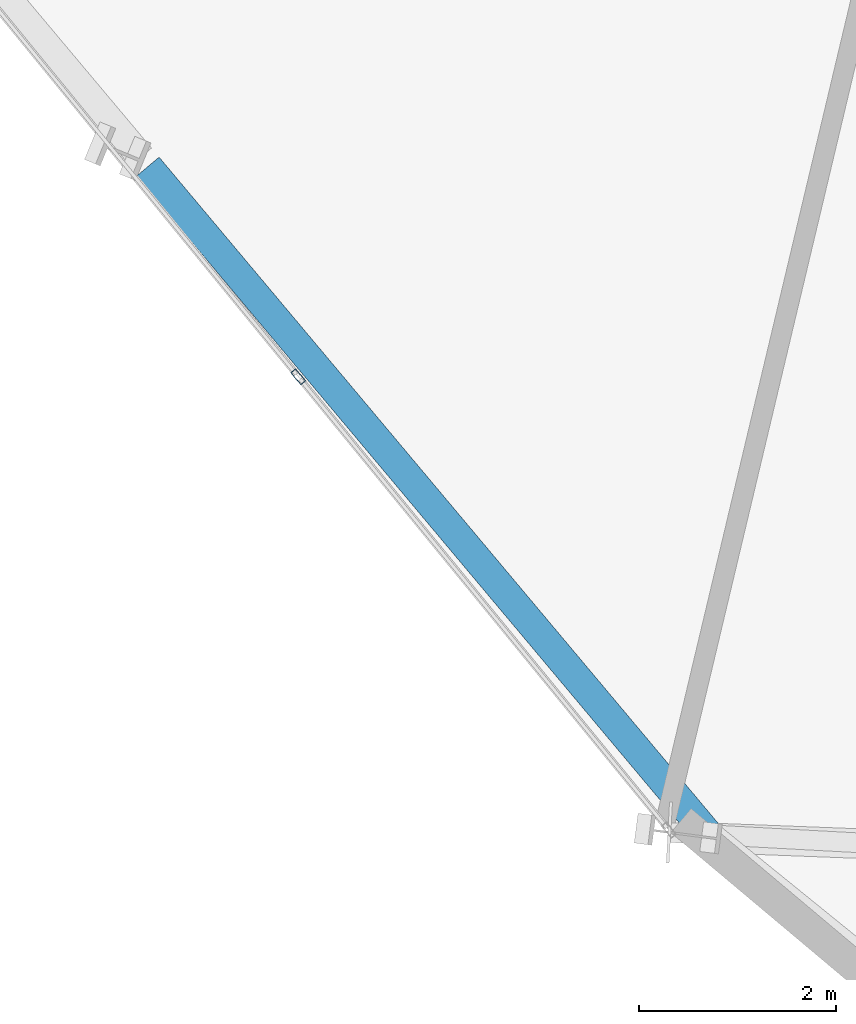
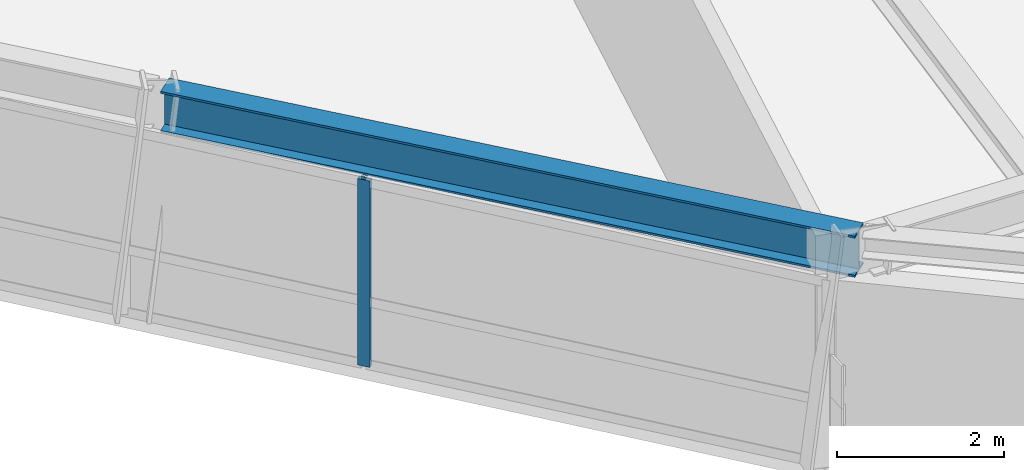
# One storey, part 2 of 15: 1 beam, 1 member, 1 element without a shape of its own.
"""IFC4 building model written with IfcOpenShell, lengths in metres."""

from ifc_helpers import new_model, si_unit, direction, frame, origin, origin_2d, place, context, subcontext, project, spatial, hollow_rectangle, i_section, extrude, source, transform, mapped, material, material_profile, profile_set, type_object, element, aggregate, save


model = new_model("IFC4")

# Units and contexts
model_context = context("Model", 3, precision=1e-05, world=origin(), true_north=direction((0.0, 1.0)))
body_context = subcontext(model_context, "Body", "Model", "MODEL_VIEW")
ifc_project = project(units=[si_unit("LENGTHUNIT", "METRE"), si_unit("AREAUNIT", "SQUARE_METRE"), si_unit("VOLUMEUNIT", "CUBIC_METRE"), si_unit("PLANEANGLEUNIT", "RADIAN"), si_unit("MASSUNIT", "GRAM", prefix="KILO")], contexts=[model_context])

# Site, building, storey
site_placement = place(None, origin())
site = spatial("IfcSite", under=ifc_project, at=site_placement, CompositionType="ELEMENT")
building_placement = place(site_placement, origin())
building = spatial("IfcBuilding", under=site, at=building_placement, Name="Olszyna Solenne Hotel", CompositionType="ELEMENT")
storey_placement = place(building_placement, frame((0.0, 0.0, 160.800048828125)))
storey = spatial("IfcBuildingStorey", under=building, at=storey_placement, Name="L42", CompositionType="ELEMENT", Elevation=160.800048828125)

# Beam
ifc_material_1 = material(Name="Steel S355J2", Category="steel")
ifc_material_profile_1 = material_profile(ifc_material_1, i_section(OverallWidth=0.300048828125, OverallDepth=0.60009765625, WebThickness=0.015380859375, FlangeThickness=0.030029296875, at=origin_2d()), Name="HEB 600", Category="load-bearing")
ifc_profile_set_1 = profile_set([ifc_material_profile_1], Name="Steel S355J2")
beam_type = type_object("IfcBeamType", Name="BM-S2", PredefinedType="BEAM", material=ifc_profile_set_1)
shared_shape_1 = source(origin(), body_context, "Body", "SweptSolid", [
    extrude(i_section(OverallWidth=0.300048828125, OverallDepth=0.60009765625, WebThickness=0.015380859375, FlangeThickness=0.030029296875, at=origin_2d()), origin(), (0.0, 0.0, 1.0), 8.834228515625),
])
beam_placement = place(storey_placement, frame((27.070068359375, 9.38037109375, 3.030029296875), z_axis=(0.642893253773, -0.76595578479, 0.0), x_axis=(0.76595578479, 0.642893253773, 0.0)))
element("IfcBeam", 1, at=beam_placement, inside=storey, type_object=beam_type, Name="Perimeter spandrel beam BM-S2 B-L42-1252", PredefinedType="BEAM", context=body_context, shape_type="MappedRepresentation", body=[
    mapped(shared_shape_1, transform((0.0, 0.0, 0.0), x_axis=(1.0, 0.0, 0.0), y_axis=(0.0, 1.0, 0.0), z_axis=(0.0, 0.0, 1.0), scale=1.0)),
])

# Curtain wall, member
ifc_material_2 = material(Name="Anodised bronze aluminium", Category="aluminium")
curtain_wall_type = type_object("IfcCurtainWallType", Name="CW-SYS-4", PredefinedType="NOTDEFINED", material=ifc_material_2)
curtain_wall_placement = place(storey_placement, origin())
curtain_wall = element("IfcCurtainWall", 2, at=curtain_wall_placement, inside=storey, type_object=curtain_wall_type, Name="Unitised curtain wall CW-SYS-4 CW-L42-01", PredefinedType="NOTDEFINED")
ifc_material_profile_2 = material_profile(ifc_material_2, hollow_rectangle(XDim=0.06494140625, YDim=0.159912109375, WallThickness=0.00390625, at=origin_2d()), Name="MULL 160x65x4", Category="load-bearing")
ifc_profile_set_2 = profile_set([ifc_material_profile_2], Name="Anodised bronze aluminium")
member_type = type_object("IfcMemberType", Name="CW-M3", PredefinedType="MULLION", material=ifc_profile_set_2)
shared_shape_2 = source(origin(), body_context, "Body", "SweptSolid", [
    extrude(hollow_rectangle(XDim=0.06494140625, YDim=0.159912109375, WallThickness=0.00390625, at=origin_2d()), origin(), (0.0, 0.0, 1.0), 2.721923828125),
])
member_placement = place(storey_placement, frame((28.596923828125, 7.247802734375, 0.0), z_axis=(0.0, 0.0, 1.0), x_axis=(0.774267616742, 0.632858323533, 0.0)))
member = element("IfcMember", 3, at=member_placement, type_object=member_type, Name="Curtain-wall mullion CW-M3 CM-L42-01-03", PredefinedType="MULLION", context=body_context, shape_type="MappedRepresentation", body=[
    mapped(shared_shape_2, transform((0.0, 0.0, 0.0), x_axis=(1.0, 0.0, 0.0), y_axis=(0.0, 1.0, 0.0), z_axis=(0.0, 0.0, 1.0), scale=1.0)),
])
aggregate(curtain_wall, [member])

save(model, "model.ifc")
